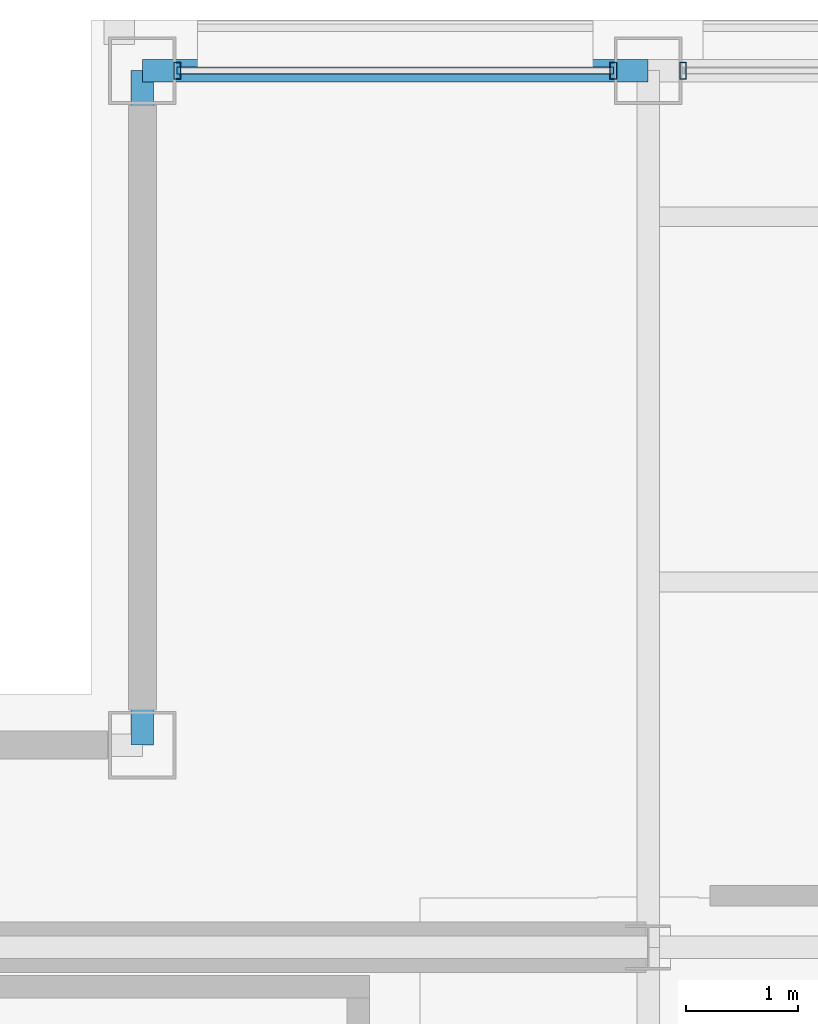
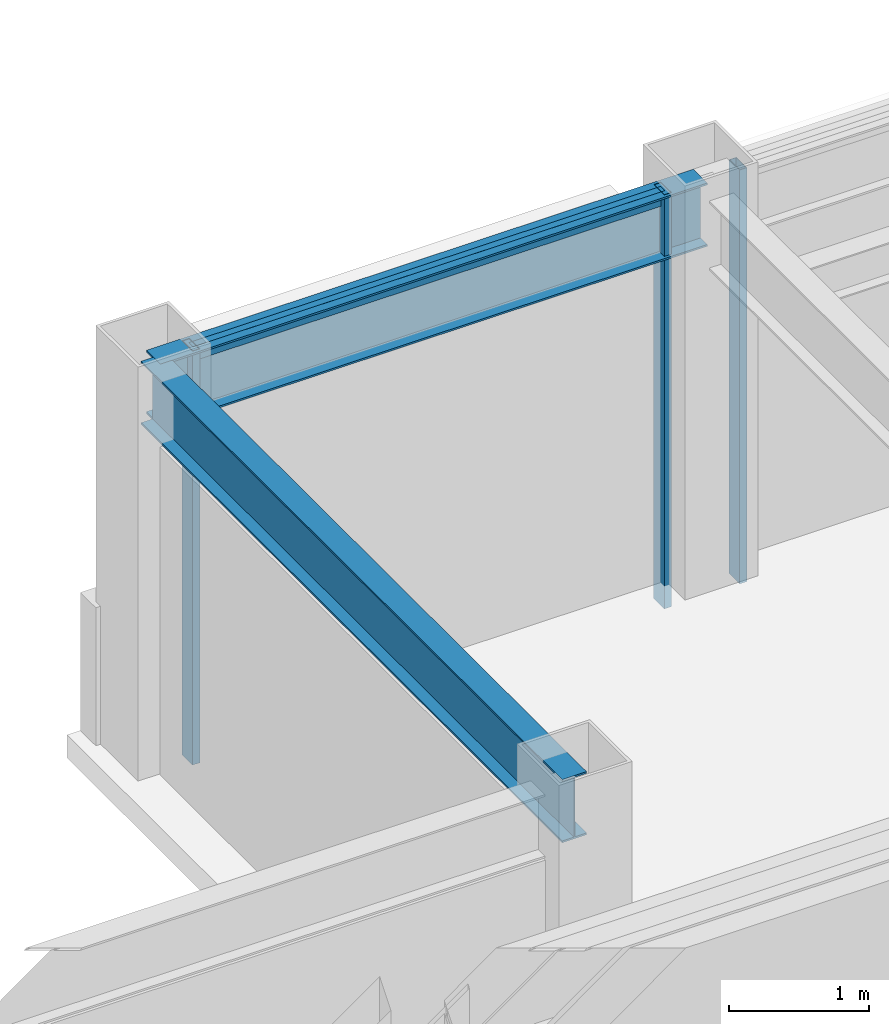
# One storey, part 13 of 20: 4 members, 2 beams, 2 elements without a shape of their own.
"""IFC4 building model written with IfcOpenShell, lengths in metres."""

from ifc_helpers import new_model, si_unit, direction, frame, origin, origin_2d, place, context, subcontext, project, spatial, hollow_rectangle, i_section, extrude, material, layer, layer_set, material_profile, profile_set, type_object, element, aggregate, save


model = new_model("IFC4")

# Units and contexts
model_context = context("Model", 3, precision=1e-05, world=origin(), true_north=direction((0.0, 1.0)))
body_context = subcontext(model_context, "Body", "Model", "MODEL_VIEW")
ifc_project = project(units=[si_unit("LENGTHUNIT", "METRE"), si_unit("AREAUNIT", "SQUARE_METRE"), si_unit("VOLUMEUNIT", "CUBIC_METRE"), si_unit("PLANEANGLEUNIT", "RADIAN"), si_unit("MASSUNIT", "GRAM", prefix="KILO")], contexts=[model_context])

# Site, building, storey
site_placement = place(None, origin())
site = spatial("IfcSite", under=ifc_project, at=site_placement, CompositionType="ELEMENT")
building_placement = place(site_placement, origin())
building = spatial("IfcBuilding", under=site, at=building_placement, Name="Brelmoor Portico Tower", CompositionType="ELEMENT")
storey_placement = place(building_placement, frame((0.0, 0.0, 272.39990234375)))
storey = spatial("IfcBuildingStorey", under=building, at=storey_placement, Name="L72", CompositionType="ELEMENT", Elevation=272.39990234375)

# Beams
ifc_material_1 = material(Name="Steel Q355B", Category="steel")
ifc_material_profile_1 = material_profile(ifc_material_1, i_section(OverallWidth=0.199951171875, OverallDepth=0.550048828125, WebThickness=0.010009765625, FlangeThickness=0.01611328125, at=origin_2d()), Name="HN 550x200x10x16")
ifc_profile_set_1 = profile_set([ifc_material_profile_1], Name="Steel Q355B")
beam_type = type_object("IfcBeamType", Name="BM-SP-550", PredefinedType="SPANDREL", material=ifc_profile_set_1)
beam_1_placement = place(storey_placement, frame((-12.550048828125, 17.550048828125, 3.125), z_axis=(1.0, 0.0, 0.0), x_axis=(0.0, 1.0, 0.0)))
element("IfcBeam", 1, at=beam_1_placement, inside=storey, type_object=beam_type, Name="L72 Perimeter Spandrel Beam SP-08", PredefinedType="SPANDREL", context=body_context, shape_type="SweptSolid", body=[
    extrude(i_section(OverallWidth=0.199951171875, OverallDepth=0.550048828125, WebThickness=0.010009765625, FlangeThickness=0.01611328125, at=origin_2d()), origin(), (0.0, 0.0, 1.0), 4.5),
])
beam_2_placement = place(storey_placement, frame((-12.550048828125, 11.550048828125, 3.125), z_axis=(0.0, 1.0, 0.0), x_axis=(-1.0, 0.0, 0.0)))
element("IfcBeam", 2, at=beam_2_placement, inside=storey, type_object=beam_type, Name="L72 Perimeter Spandrel Beam SP-15", PredefinedType="SPANDREL", context=body_context, shape_type="SweptSolid", body=[
    extrude(i_section(OverallWidth=0.199951171875, OverallDepth=0.550048828125, WebThickness=0.010009765625, FlangeThickness=0.01611328125, at=origin_2d()), origin(), (0.0, 0.0, 1.0), 6.0),
])

# Curtain wall, members
ifc_material_2 = material(Name="Anodised Aluminium Alloy 6063-T6", Category="aluminium")
ifc_layer = layer(ifc_material_2, 0.179931640625)
ifc_layer_set = layer_set([ifc_layer], Name="Anodised Aluminium Alloy 6063-T6")
curtain_wall_type = type_object("IfcCurtainWallType", Name="CW-TOWER-Z4-XB", PredefinedType="NOTDEFINED", material=ifc_layer_set)
curtain_wall_1_placement = place(storey_placement, origin())
curtain_wall_1 = element("IfcCurtainWall", 3, at=curtain_wall_1_placement, inside=storey, type_object=curtain_wall_type, Name="L72 Curtain Wall CW-L72-02-1", PredefinedType="NOTDEFINED")
ifc_material_profile_2 = material_profile(ifc_material_2, hollow_rectangle(XDim=0.06005859375, YDim=0.14990234375, WallThickness=0.00390625, at=origin_2d()), Name="ALU MULLION 60x150")
ifc_profile_set_2 = profile_set([ifc_material_profile_2], Name="Anodised Aluminium Alloy 6063-T6")
member_type_1 = type_object("IfcMemberType", Name="MB-CW-MULL-150", PredefinedType="MULLION", material=ifc_profile_set_2)
member_1_placement = place(storey_placement, frame((-12.239990234375, 17.550048828125, -0.199951171875), z_axis=(0.0, 0.0, 1.0), x_axis=(1.0, 0.0, 0.0)))
member_1 = element("IfcMember", 4, at=member_1_placement, type_object=member_type_1, Name="CW-L72-02-1 Mullion 00", PredefinedType="MULLION", context=body_context, shape_type="SweptSolid", body=[
    extrude(hollow_rectangle(XDim=0.06005859375, YDim=0.14990234375, WallThickness=0.00390625, at=origin_2d()), origin(), (0.0, 0.0, 1.0), 3.60009765625),
])
member_2_placement = place(storey_placement, frame((-8.360107421875, 17.550048828125, -0.199951171875), z_axis=(0.0, 0.0, 1.0), x_axis=(1.0, 0.0, 0.0)))
member_2 = element("IfcMember", 5, at=member_2_placement, type_object=member_type_1, Name="CW-L72-02-1 Mullion 01", PredefinedType="MULLION", context=body_context, shape_type="SweptSolid", body=[
    extrude(hollow_rectangle(XDim=0.06005859375, YDim=0.14990234375, WallThickness=0.00390625, at=origin_2d()), origin(), (0.0, 0.0, 1.0), 3.60009765625),
])

# Curtain wall, member
curtain_wall_2_placement = place(storey_placement, origin())
curtain_wall_2 = element("IfcCurtainWall", 6, at=curtain_wall_2_placement, inside=storey, type_object=curtain_wall_type, Name="L72 Curtain Wall CW-L72-02-2", PredefinedType="NOTDEFINED")
member_3_placement = place(storey_placement, frame((-7.739990234375, 17.550048828125, -0.199951171875), z_axis=(0.0, 0.0, 1.0), x_axis=(1.0, 0.0, 0.0)))
member_3 = element("IfcMember", 7, at=member_3_placement, type_object=member_type_1, Name="CW-L72-02-2 Mullion 00", PredefinedType="MULLION", context=body_context, shape_type="SweptSolid", body=[
    extrude(hollow_rectangle(XDim=0.06005859375, YDim=0.14990234375, WallThickness=0.00390625, at=origin_2d()), origin(), (0.0, 0.0, 1.0), 3.60009765625),
])
aggregate(curtain_wall_2, [member_3])

# Member
ifc_material_profile_3 = material_profile(ifc_material_2, hollow_rectangle(XDim=0.06005859375, YDim=0.125, WallThickness=0.00341796875, at=origin_2d()), Name="ALU TRANSOM 60x125")
ifc_profile_set_3 = profile_set([ifc_material_profile_3], Name="Anodised Aluminium Alloy 6063-T6")
member_type_2 = type_object("IfcMemberType", Name="MB-CW-TRAN-125", PredefinedType="USERDEFINED", material=ifc_profile_set_3)
member_4_placement = place(storey_placement, frame((-12.239990234375, 17.550048828125, 3.337646484375), z_axis=(1.0, 0.0, 0.0), x_axis=(0.0, 1.0, 0.0)))
member_4 = element("IfcMember", 8, at=member_4_placement, type_object=member_type_2, Name="CW-L72-02-1 Transom 1-00", ObjectType="TRANSOM", PredefinedType="USERDEFINED", context=body_context, shape_type="SweptSolid", body=[
    extrude(hollow_rectangle(XDim=0.06005859375, YDim=0.125, WallThickness=0.00341796875, at=origin_2d()), origin(), (0.0, 0.0, 1.0), 3.8798828125),
])

aggregate(curtain_wall_1, [member_1, member_2, member_4])

save(model, "model.ifc")
